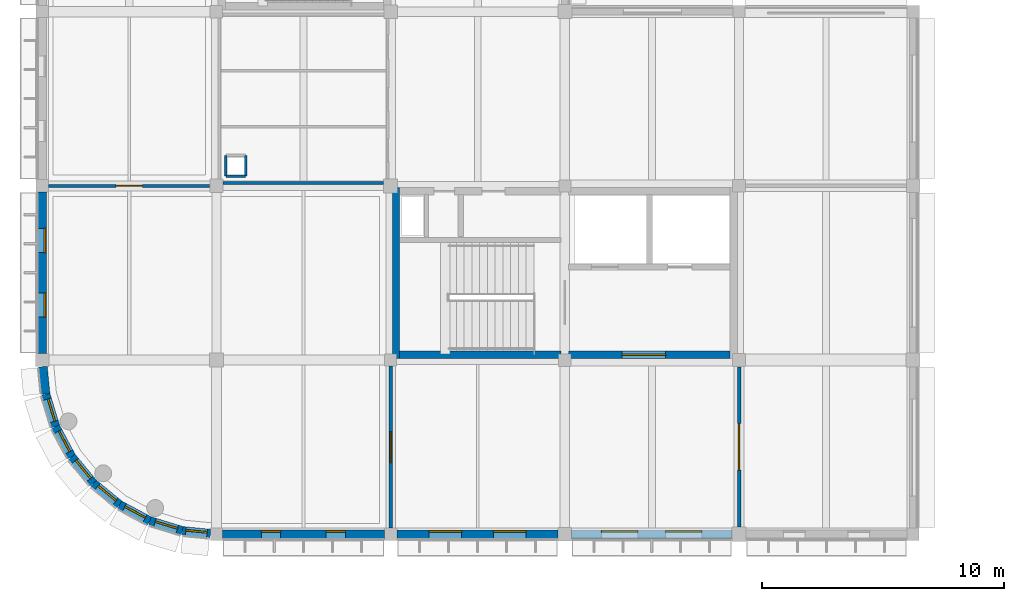
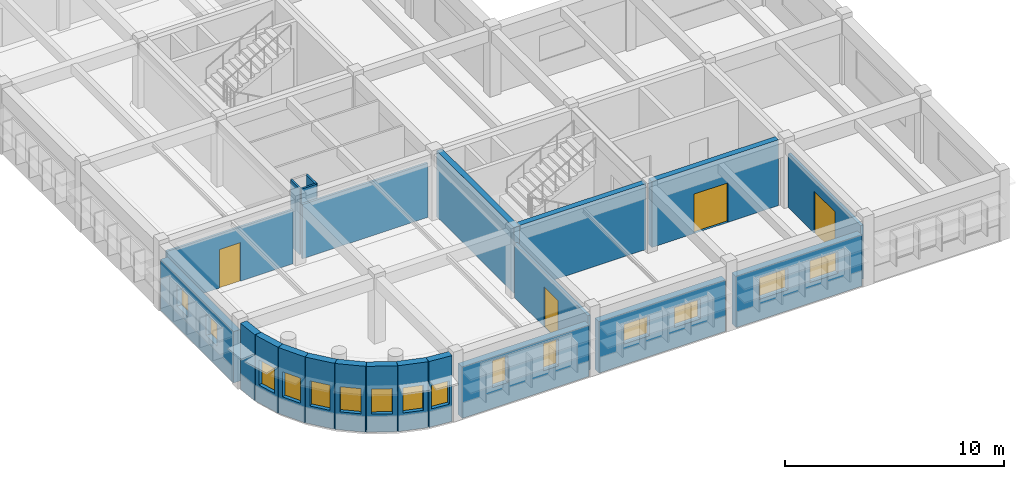
# One storey, part 12 of 19: 22 walls, 15 windows, 4 doors, 19 openings.
"""IFC4 building model written with IfcOpenShell, lengths in metres."""

import ifcopenshell
import ifcopenshell.guid

model = None  # the IFC model being written
_history = None  # IfcOwnerHistory: only IFC2X3 demands one
_inside = {}  # id of a spatial element -> (the spatial element, [elements in it])
_under = {}  # id of a project, library or spatial element -> (it, [spatial elements below it])
_declared = {}  # id of a project -> (the project, [libraries it declares])
_typed = {}  # id of a type object -> (the type object, [elements of that type])
_made_of = {}  # id of a material, layer set ... -> (it, [elements and type objects made of it])


def new_model(schema):
    """Start an empty IFC model of exactly this schema.

    Asked for "IFC4X3", IfcOpenShell would pick the latest addendum, in which some entities
    have other attributes; the version numbers below select the first issue.
    IFC2X3 requires an IfcOwnerHistory on every rooted entity: one is made here for all.
    """
    global model, _history
    if schema == "IFC4X3":
        model = ifcopenshell.file(schema_version=(4, 3, 0, 0))
    else:
        model = ifcopenshell.file(schema=schema)
    _inside.clear()
    _under.clear()
    _declared.clear()
    _typed.clear()
    _made_of.clear()
    _history = None
    if model.schema == "IFC2X3":
        org = make("IfcOrganization", Name="unknown")
        user = make(
            "IfcPersonAndOrganization",
            ThePerson=make("IfcPerson", FamilyName="unknown"),
            TheOrganization=org,
        )
        app = make(
            "IfcApplication",
            ApplicationDeveloper=org,
            Version="unknown",
            ApplicationFullName="unknown",
            ApplicationIdentifier="unknown",
        )
        _history = make(
            "IfcOwnerHistory",
            OwningUser=user,
            OwningApplication=app,
            ChangeAction="ADDED",
            CreationDate=0,
        )
    return model


def make(cls, **values):
    """One entity of the class cls with the attributes given. An attribute that is None is left unset."""
    return model.create_entity(
        cls, **{name: value for name, value in values.items() if value is not None}
    )


def rooted(cls, **values):
    """An entity with a GlobalId (a new one), such as an element, a storey or a relation."""
    return make(cls, GlobalId=ifcopenshell.guid.new(), OwnerHistory=_history, **values)


def si_unit(unit_type, name, prefix=None):
    """IfcSIUnit, for example si_unit("LENGTHUNIT", "METRE", prefix="MILLI")."""
    return make("IfcSIUnit", UnitType=unit_type, Prefix=prefix, Name=name)


def assignment(units):
    """IfcUnitAssignment: the units of a project."""
    return None if units is None else make("IfcUnitAssignment", Units=units)


def point(xyz):
    """IfcCartesianPoint."""
    return None if xyz is None else make("IfcCartesianPoint", Coordinates=xyz)


def direction(xyz):
    """IfcDirection."""
    return None if xyz is None else make("IfcDirection", DirectionRatios=xyz)


def frame(location, z_axis=None, x_axis=None):
    """IfcAxis2Placement3D, a coordinate frame: its origin and axes. An axis left out is left unset."""
    return make(
        "IfcAxis2Placement3D",
        Location=point(location),
        Axis=direction(z_axis),
        RefDirection=direction(x_axis),
    )


def frame_2d(location, x_axis=None):
    """IfcAxis2Placement2D, a coordinate frame in the plane: its origin and x axis."""
    return make(
        "IfcAxis2Placement2D", Location=point(location), RefDirection=direction(x_axis)
    )


def origin():
    """The frame at (0, 0, 0) with its axes left unset."""
    return frame((0.0, 0.0, 0.0))


def place(relative_to, where):
    """IfcLocalPlacement: puts the frame where relative to a parent placement (None: the world)."""
    return make(
        "IfcLocalPlacement", PlacementRelTo=relative_to, RelativePlacement=where
    )


def context(
    kind, dimensions, precision=None, world=None, true_north=None, identifier=None
):
    """IfcGeometricRepresentationContext, for example the 3D "Model" context."""
    return make(
        "IfcGeometricRepresentationContext",
        ContextIdentifier=identifier,
        ContextType=kind,
        CoordinateSpaceDimension=dimensions,
        Precision=precision,
        WorldCoordinateSystem=world,
        TrueNorth=true_north,
    )


def subcontext(parent, identifier, kind, view, scale=None):
    """IfcGeometricRepresentationSubContext, for example "Body" below "Model"."""
    return make(
        "IfcGeometricRepresentationSubContext",
        ContextIdentifier=identifier,
        ContextType=kind,
        ParentContext=parent,
        TargetScale=scale,
        TargetView=view,
    )


def project(units=None, contexts=None):
    """IfcProject with its units and contexts."""
    return rooted(
        "IfcProject",
        Name="project",
        RepresentationContexts=contexts,
        UnitsInContext=assignment(units),
    )


def spatial(cls, under=None, at=None, **own):
    """A site, building, storey or space (cls), placed at a placement, below another one or the project."""
    s = rooted(cls, ObjectPlacement=at, **own)
    if under is not None:
        _under.setdefault(under.id(), (under, []))[1].append(s)
    return s


def profile(cls, at=None, kind="AREA", **sizes):
    """A parametric profile (cls). Its sizes go by their IFC names, for example OverallWidth=200.0."""
    return make(cls, ProfileType=kind, Position=at, **sizes)


def rectangle(**sizes):
    """IfcRectangleProfileDef."""
    return profile("IfcRectangleProfileDef", **sizes)


def extrude(swept, where, along, depth):
    """IfcExtrudedAreaSolid: the profile swept, set in the frame where, extruded along a direction by depth."""
    return make(
        "IfcExtrudedAreaSolid",
        SweptArea=swept,
        Position=where,
        ExtrudedDirection=direction(along),
        Depth=depth,
    )


def shape(context_of_items, identifier, shape_type, items):
    """IfcShapeRepresentation: the items that make up one representation, for example the "Body"."""
    return make(
        "IfcShapeRepresentation",
        ContextOfItems=context_of_items,
        RepresentationIdentifier=identifier,
        RepresentationType=shape_type,
        Items=items,
    )


def material(Name=None, Category=None):
    """IfcMaterial."""
    return make("IfcMaterial", Name=Name, Category=Category)


def layer(
    of_material, thickness, ventilated=None, Name=None, Category=None, Priority=None
):
    """IfcMaterialLayer: one layer of a wall or slab, of a material (None: an air gap)."""
    return make(
        "IfcMaterialLayer",
        Material=of_material,
        LayerThickness=thickness,
        IsVentilated=ventilated,
        Name=Name,
        Category=Category,
        Priority=Priority,
    )


def layer_set(layers, Name=None):
    """IfcMaterialLayerSet."""
    return make("IfcMaterialLayerSet", MaterialLayers=layers, LayerSetName=Name)


def made_of(thing, what):
    """Note that an element or type object is made of a material, layer set ...; save() writes the relation."""
    if what is not None:
        _made_of.setdefault(what.id(), (what, []))[1].append(thing)
    return thing


def type_object(cls, material=None, **own):
    """A type object (cls), such as IfcWallType, which elements share."""
    return made_of(rooted(cls, **own), material)


def element(
    cls,
    number,
    at=None,
    inside=None,
    cuts=None,
    type_object=None,
    material=None,
    context=None,
    identifier="Body",
    shape_type=None,
    held_by="IfcProductDefinitionShape",
    body=None,
    shapes=None,
    **own,
):
    """One element of the class cls, such as IfcWall. Its Tag is "e" and its number.

    at: its placement. inside: the storey or other place that contains it. cuts: it is an
    opening in that element (IfcRelVoidsElement). A single representation is given by context,
    identifier, shape_type and body (its items); several are given by shapes. held_by: the class
    of the entity that holds the representations. save() writes the other relations.
    """
    e = rooted(cls, Tag="e%d" % number, ObjectPlacement=at, **own)
    if body is not None:
        shapes = [shape(context, identifier, shape_type, body)]
    if shapes is not None:
        e.Representation = make(held_by, Representations=shapes)
    if inside is not None:
        _inside.setdefault(inside.id(), (inside, []))[1].append(e)
    if cuts is not None:
        rooted(
            "IfcRelVoidsElement", RelatingBuildingElement=cuts, RelatedOpeningElement=e
        )
    if type_object is not None:
        _typed.setdefault(type_object.id(), (type_object, []))[1].append(e)
    return made_of(e, material)


def fill(opening, filler):
    """IfcRelFillsElement: the door or window that sits in an opening."""
    return rooted(
        "IfcRelFillsElement",
        RelatingOpeningElement=opening,
        RelatedBuildingElement=filler,
    )


def aggregate(whole, parts):
    """IfcRelAggregates: a whole, such as a stair, and the parts it consists of."""
    return rooted("IfcRelAggregates", RelatingObject=whole, RelatedObjects=parts)


def save(model, path):
    """Write the relations noted so far, then the file.

    IfcRelAggregates (storeys below a building ...), IfcRelContainedInSpatialStructure (elements
    in a storey), IfcRelDefinesByType, IfcRelAssociatesMaterial and IfcRelDeclares: one each for
    every whole, place, type object, material and project.
    """
    for whole, parts in _under.values():
        aggregate(whole, parts)
    for where, things in _inside.values():
        rooted(
            "IfcRelContainedInSpatialStructure",
            RelatedElements=things,
            RelatingStructure=where,
        )
    for kind, things in _typed.values():
        rooted("IfcRelDefinesByType", RelatedObjects=things, RelatingType=kind)
    for what, things in _made_of.values():
        rooted("IfcRelAssociatesMaterial", RelatedObjects=things, RelatingMaterial=what)
    for by, libraries in _declared.values():
        rooted("IfcRelDeclares", RelatingContext=by, RelatedDefinitions=libraries)
    model.write(path)


model = new_model("IFC4")

# Units and contexts
model_context = context("Model", 3, precision=1e-05, world=origin(), true_north=direction((0.0, 1.0)))
body_context = subcontext(model_context, "Body", "Model", "MODEL_VIEW")
ifc_project = project(units=[si_unit("LENGTHUNIT", "METRE"), si_unit("AREAUNIT", "SQUARE_METRE"), si_unit("VOLUMEUNIT", "CUBIC_METRE"), si_unit("PLANEANGLEUNIT", "RADIAN"), si_unit("MASSUNIT", "GRAM", prefix="KILO")], contexts=[model_context])

# Site, building, storey
site_placement = place(None, origin())
site = spatial("IfcSite", under=ifc_project, at=site_placement, CompositionType="ELEMENT")
building_placement = place(site_placement, origin())
building = spatial("IfcBuilding", under=site, at=building_placement, Name="Thalmaran Polytechnic", CompositionType="ELEMENT")
storey_placement = place(building_placement, frame((0.0, 0.0, 26.699951171875)))
storey = spatial("IfcBuildingStorey", under=building, at=storey_placement, Name="L06", CompositionType="ELEMENT", Elevation=26.699951171875)

# Wall, opening, window
ifc_material_1 = material(Name="Precast concrete C40/50", Category="concrete")
ifc_layer_1 = layer(ifc_material_1, 0.360107421875, Name="Precast concrete C40/50")
ifc_layer_set_1 = layer_set([ifc_layer_1], Name="Precast concrete C40/50")
wall_type_1 = type_object("IfcWallType", Name="WL-EW01", PredefinedType="STANDARD", material=ifc_layer_set_1)
wall_1_placement = place(storey_placement, frame((2.10888671875, 2.10888671875, 0.0), z_axis=(0.0, 0.0, 1.0), x_axis=(-0.634433227965, 0.772977670605, 0.0)))
wall_1 = element("IfcWall", 1, at=wall_1_placement, inside=storey, type_object=wall_type_1, Name="Exterior Precast Facade Wall L06-001", PredefinedType="STANDARD", context=body_context, shape_type="SweptSolid", body=[
    extrude(rectangle(XDim=1.41162109375, YDim=0.360107421875, at=frame_2d((0.705810546875, 0.0))), origin(), (0.0, 0.0, 1.0), 3.670166015625),
])
opening_1_placement = place(wall_1_placement, frame((0.2255859375, 0.0, 1.0)))
opening_1 = element("IfcOpeningElement", 2, at=opening_1_placement, cuts=wall_1, Name="Opening CR01", PredefinedType="OPENING", context=body_context, shape_type="SweptSolid", body=[
    extrude(rectangle(XDim=0.9599609375, YDim=1.39990234375, at=frame_2d((0.47998046875, 0.699951171875))), frame((0.0, 0.18994140625, 0.0), z_axis=(0.0, -1.0, 0.0), x_axis=(1.0, 0.0, 0.0)), (0.0, 0.0, 1.0), 0.380126953125),
])
ifc_material_2 = material(Name="Thermally broken aluminium and double low-E glass", Category="aluminium")
window_type_1 = type_object("IfcWindowType", Name="WN-CR01", PartitioningType="SINGLE_PANEL", PredefinedType="WINDOW", material=ifc_material_2)
window_1_placement = place(opening_1_placement, origin())
window_1 = element("IfcWindow", 3, at=window_1_placement, inside=storey, type_object=window_type_1, Name="Curved Prow Ribbon Window W-0726", OverallHeight=1.39990234375, OverallWidth=0.9599609375, PartitioningType="SINGLE_PANEL", PredefinedType="WINDOW", context=body_context, shape_type="SweptSolid", body=[
    extrude(rectangle(XDim=0.9599609375, YDim=1.39990234375, at=frame_2d((0.47998046875, 0.699951171875))), frame((0.0, -0.010009765625, 0.0), z_axis=(0.0, -1.0, 0.0), x_axis=(1.0, 0.0, 0.0)), (0.0, 0.0, 1.0), 0.06005859375),
])
fill(opening_1, window_1)

wall_2_placement = place(storey_placement, frame((1.21337890625, 3.199951171875, 0.0), z_axis=(0.0, 0.0, 1.0), x_axis=(-0.471405109778, 0.881916788861, 0.0)))
wall_2 = element("IfcWall", 4, at=wall_2_placement, inside=storey, type_object=wall_type_1, Name="Exterior Precast Facade Wall L06-002", PredefinedType="STANDARD", context=body_context, shape_type="SweptSolid", body=[
    extrude(rectangle(XDim=1.411376953125, YDim=0.360107421875, at=frame_2d((0.70556640625, 0.0))), origin(), (0.0, 0.0, 1.0), 3.670166015625),
])
opening_2_placement = place(wall_2_placement, frame((0.2255859375, 0.0, 1.0)))
opening_2 = element("IfcOpeningElement", 5, at=opening_2_placement, cuts=wall_2, Name="Opening CR01", PredefinedType="OPENING", context=body_context, shape_type="SweptSolid", body=[
    extrude(rectangle(XDim=0.9599609375, YDim=1.39990234375, at=frame_2d((0.47998046875, 0.699951171875))), frame((0.0, 0.18994140625, 0.0), z_axis=(0.0, -1.0, 0.0), x_axis=(1.0, 0.0, 0.0)), (0.0, 0.0, 1.0), 0.380126953125),
])
window_2_placement = place(opening_2_placement, origin())
window_2 = element("IfcWindow", 6, at=window_2_placement, inside=storey, type_object=window_type_1, Name="Curved Prow Ribbon Window W-0727", OverallHeight=1.39990234375, OverallWidth=0.9599609375, PartitioningType="SINGLE_PANEL", PredefinedType="WINDOW", context=body_context, shape_type="SweptSolid", body=[
    extrude(rectangle(XDim=0.9599609375, YDim=1.39990234375, at=frame_2d((0.47998046875, 0.699951171875))), frame((0.0, -0.010009765625, 0.0), z_axis=(0.0, -1.0, 0.0), x_axis=(1.0, 0.0, 0.0)), (0.0, 0.0, 1.0), 0.06005859375),
])
fill(opening_2, window_2)

wall_3_placement = place(storey_placement, frame((0.548095703125, 4.444580078125, 0.0), z_axis=(0.0, 0.0, 1.0), x_axis=(-0.290218599957, 0.95696037757, 0.0)))
wall_3 = element("IfcWall", 7, at=wall_3_placement, inside=storey, type_object=wall_type_1, Name="Exterior Precast Facade Wall L06-003", PredefinedType="STANDARD", context=body_context, shape_type="SweptSolid", body=[
    extrude(rectangle(XDim=1.41162109375, YDim=0.360107421875, at=frame_2d((0.705810546875, 0.0))), origin(), (0.0, 0.0, 1.0), 3.670166015625),
])
opening_3_placement = place(wall_3_placement, frame((0.2255859375, 0.0, 1.0)))
opening_3 = element("IfcOpeningElement", 8, at=opening_3_placement, cuts=wall_3, Name="Opening CR01", PredefinedType="OPENING", context=body_context, shape_type="SweptSolid", body=[
    extrude(rectangle(XDim=0.9599609375, YDim=1.39990234375, at=frame_2d((0.47998046875, 0.699951171875))), frame((0.0, 0.18994140625, 0.0), z_axis=(0.0, -1.0, 0.0), x_axis=(1.0, 0.0, 0.0)), (0.0, 0.0, 1.0), 0.380126953125),
])
window_3_placement = place(opening_3_placement, origin())
window_3 = element("IfcWindow", 9, at=window_3_placement, inside=storey, type_object=window_type_1, Name="Curved Prow Ribbon Window W-0728", OverallHeight=1.39990234375, OverallWidth=0.9599609375, PartitioningType="SINGLE_PANEL", PredefinedType="WINDOW", context=body_context, shape_type="SweptSolid", body=[
    extrude(rectangle(XDim=0.9599609375, YDim=1.39990234375, at=frame_2d((0.47998046875, 0.699951171875))), frame((0.0, -0.010009765625, 0.0), z_axis=(0.0, -1.0, 0.0), x_axis=(1.0, 0.0, 0.0)), (0.0, 0.0, 1.0), 0.06005859375),
])
fill(opening_3, window_3)

# Wall
wall_4_placement = place(storey_placement, frame((0.138427734375, 5.79541015625, 0.0), z_axis=(0.0, 0.0, 1.0), x_axis=(-0.098184772956, 0.995168202044, 0.0)))
element("IfcWall", 10, at=wall_4_placement, inside=storey, type_object=wall_type_1, Name="Exterior Precast Facade Wall L06-004", PredefinedType="STANDARD", context=body_context, shape_type="SweptSolid", body=[
    extrude(rectangle(XDim=1.13623046875, YDim=0.360107421875, at=frame_2d((0.568115234375, 0.0))), origin(), (0.0, 0.0, 1.0), 3.670166015625),
])

# Wall, openings, windows
wall_5_placement = place(storey_placement, frame((0.0, 7.47509765625, 0.0), z_axis=(0.0, 0.0, 1.0), x_axis=(0.0, 1.0, 0.0)))
wall_5 = element("IfcWall", 11, at=wall_5_placement, inside=storey, type_object=wall_type_1, Name="Exterior Precast Facade Wall L06-005", PredefinedType="STANDARD", context=body_context, shape_type="SweptSolid", body=[
    extrude(rectangle(XDim=6.664794921875, YDim=0.360107421875, at=frame_2d((3.33251953125, 0.0))), origin(), (0.0, 0.0, 1.0), 2.864990234375),
])
opening_4_placement = place(wall_5_placement, frame((1.49951171875, 0.0, 1.14990234375)))
opening_4 = element("IfcOpeningElement", 12, at=opening_4_placement, cuts=wall_5, Name="Opening VW13", PredefinedType="OPENING", context=body_context, shape_type="SweptSolid", body=[
    extrude(rectangle(XDim=1.0, YDim=1.199951171875, at=frame_2d((0.5, 0.60009765625))), frame((0.0, 0.18994140625, 0.0), z_axis=(0.0, -1.0, 0.0), x_axis=(1.0, 0.0, 0.0)), (0.0, 0.0, 1.0), 0.380126953125),
])
opening_5_placement = place(wall_5_placement, frame((4.16552734375, 0.0, 1.14990234375)))
opening_5 = element("IfcOpeningElement", 13, at=opening_5_placement, cuts=wall_5, Name="Opening VW13", PredefinedType="OPENING", context=body_context, shape_type="SweptSolid", body=[
    extrude(rectangle(XDim=1.0, YDim=1.199951171875, at=frame_2d((0.5, 0.60009765625))), frame((0.0, 0.18994140625, 0.0), z_axis=(0.0, -1.0, 0.0), x_axis=(1.0, 0.0, 0.0)), (0.0, 0.0, 1.0), 0.380126953125),
])
window_type_2 = type_object("IfcWindowType", Name="WN-VZ13", PartitioningType="SINGLE_PANEL", PredefinedType="WINDOW", material=ifc_material_2)
window_4_placement = place(opening_4_placement, origin())
window_4 = element("IfcWindow", 14, at=window_4_placement, inside=storey, type_object=window_type_2, Name="Deep-Set Solar-Screened Window W-0729", OverallHeight=1.199951171875, OverallWidth=1.0, PartitioningType="SINGLE_PANEL", PredefinedType="WINDOW", context=body_context, shape_type="SweptSolid", body=[
    extrude(rectangle(XDim=1.0, YDim=1.199951171875, at=frame_2d((0.5, 0.60009765625))), frame((0.0, -0.080078125, 0.0), z_axis=(0.0, -1.0, 0.0), x_axis=(1.0, 0.0, 0.0)), (0.0, 0.0, 1.0), 0.06005859375),
])
fill(opening_4, window_4)
window_5_placement = place(opening_5_placement, origin())
window_5 = element("IfcWindow", 15, at=window_5_placement, inside=storey, type_object=window_type_2, Name="Deep-Set Solar-Screened Window W-0730", OverallHeight=1.199951171875, OverallWidth=1.0, PartitioningType="SINGLE_PANEL", PredefinedType="WINDOW", context=body_context, shape_type="SweptSolid", body=[
    extrude(rectangle(XDim=1.0, YDim=1.199951171875, at=frame_2d((0.5, 0.60009765625))), frame((0.0, -0.080078125, 0.0), z_axis=(0.0, -1.0, 0.0), x_axis=(1.0, 0.0, 0.0)), (0.0, 0.0, 1.0), 0.06005859375),
])
fill(opening_5, window_5)

wall_6_placement = place(storey_placement, frame((28.510009765625, 0.0, 0.0), z_axis=(0.0, 0.0, 1.0), x_axis=(-1.0, 0.0, 0.0)))
wall_6 = element("IfcWall", 16, at=wall_6_placement, inside=storey, type_object=wall_type_1, Name="Exterior Precast Facade Wall L06-024", PredefinedType="STANDARD", context=body_context, shape_type="SweptSolid", body=[
    extrude(rectangle(XDim=6.635009765625, YDim=0.360107421875, at=frame_2d((3.3173828125, 0.0))), origin(), (0.0, 0.0, 1.0), 2.864990234375),
])
opening_6_placement = place(wall_6_placement, frame((1.240478515625, 0.0, 1.14990234375)))
opening_6 = element("IfcOpeningElement", 17, at=opening_6_placement, cuts=wall_6, Name="Opening PW14", PredefinedType="OPENING", context=body_context, shape_type="SweptSolid", body=[
    extrude(rectangle(XDim=1.5, YDim=1.199951171875, at=frame_2d((0.75, 0.60009765625))), frame((0.0, 0.18994140625, 0.0), z_axis=(0.0, -1.0, 0.0), x_axis=(1.0, 0.0, 0.0)), (0.0, 0.0, 1.0), 0.380126953125),
])
opening_7_placement = place(wall_6_placement, frame((3.89453125, 0.0, 1.14990234375)))
opening_7 = element("IfcOpeningElement", 18, at=opening_7_placement, cuts=wall_6, Name="Opening PW14", PredefinedType="OPENING", context=body_context, shape_type="SweptSolid", body=[
    extrude(rectangle(XDim=1.5, YDim=1.199951171875, at=frame_2d((0.75, 0.60009765625))), frame((0.0, 0.18994140625, 0.0), z_axis=(0.0, -1.0, 0.0), x_axis=(1.0, 0.0, 0.0)), (0.0, 0.0, 1.0), 0.380126953125),
])
window_type_3 = type_object("IfcWindowType", Name="WN-PW04", PartitioningType="DOUBLE_PANEL_VERTICAL", PredefinedType="WINDOW", material=ifc_material_2)
window_6_placement = place(opening_6_placement, origin())
window_6 = element("IfcWindow", 19, at=window_6_placement, inside=storey, type_object=window_type_3, Name="Deep-Set Solar-Screened Window W-0754", OverallHeight=1.199951171875, OverallWidth=1.5, PartitioningType="SINGLE_PANEL", PredefinedType="WINDOW", context=body_context, shape_type="SweptSolid", body=[
    extrude(rectangle(XDim=1.5, YDim=1.199951171875, at=frame_2d((0.75, 0.60009765625))), frame((0.0, -0.080078125, 0.0), z_axis=(0.0, -1.0, 0.0), x_axis=(1.0, 0.0, 0.0)), (0.0, 0.0, 1.0), 0.06005859375),
])
fill(opening_6, window_6)
window_7_placement = place(opening_7_placement, origin())
window_7 = element("IfcWindow", 20, at=window_7_placement, inside=storey, type_object=window_type_3, Name="Deep-Set Solar-Screened Window W-0755", OverallHeight=1.199951171875, OverallWidth=1.5, PartitioningType="SINGLE_PANEL", PredefinedType="WINDOW", context=body_context, shape_type="SweptSolid", body=[
    extrude(rectangle(XDim=1.5, YDim=1.199951171875, at=frame_2d((0.75, 0.60009765625))), frame((0.0, -0.080078125, 0.0), z_axis=(0.0, -1.0, 0.0), x_axis=(1.0, 0.0, 0.0)), (0.0, 0.0, 1.0), 0.06005859375),
])
fill(opening_7, window_7)

wall_7_placement = place(storey_placement, frame((21.324951171875, 0.0, 0.0), z_axis=(0.0, 0.0, 1.0), x_axis=(-1.0, 0.0, 0.0)))
wall_7 = element("IfcWall", 21, at=wall_7_placement, inside=storey, type_object=wall_type_1, Name="Exterior Precast Facade Wall L06-025", PredefinedType="STANDARD", context=body_context, shape_type="SweptSolid", body=[
    extrude(rectangle(XDim=6.6650390625, YDim=0.360107421875, at=frame_2d((3.33251953125, 0.0))), origin(), (0.0, 0.0, 1.0), 2.864990234375),
])
opening_8_placement = place(wall_7_placement, frame((1.324462890625, 0.0, 1.14990234375)))
opening_8 = element("IfcOpeningElement", 22, at=opening_8_placement, cuts=wall_7, Name="Opening PW15", PredefinedType="OPENING", context=body_context, shape_type="SweptSolid", body=[
    extrude(rectangle(XDim=1.35009765625, YDim=1.10009765625, at=frame_2d((0.675048828125, 0.550048828125))), frame((0.0, 0.18994140625, 0.0), z_axis=(0.0, -1.0, 0.0), x_axis=(1.0, 0.0, 0.0)), (0.0, 0.0, 1.0), 0.380126953125),
])
opening_9_placement = place(wall_7_placement, frame((3.990478515625, 0.0, 1.14990234375)))
opening_9 = element("IfcOpeningElement", 23, at=opening_9_placement, cuts=wall_7, Name="Opening PW15", PredefinedType="OPENING", context=body_context, shape_type="SweptSolid", body=[
    extrude(rectangle(XDim=1.35009765625, YDim=1.10009765625, at=frame_2d((0.675048828125, 0.550048828125))), frame((0.0, 0.18994140625, 0.0), z_axis=(0.0, -1.0, 0.0), x_axis=(1.0, 0.0, 0.0)), (0.0, 0.0, 1.0), 0.380126953125),
])
window_type_4 = type_object("IfcWindowType", Name="WN-PW05", PartitioningType="SINGLE_PANEL", PredefinedType="WINDOW", material=ifc_material_2)
window_8_placement = place(opening_8_placement, origin())
window_8 = element("IfcWindow", 24, at=window_8_placement, inside=storey, type_object=window_type_4, Name="Deep-Set Solar-Screened Window W-0756", OverallHeight=1.10009765625, OverallWidth=1.35009765625, PartitioningType="SINGLE_PANEL", PredefinedType="WINDOW", context=body_context, shape_type="SweptSolid", body=[
    extrude(rectangle(XDim=1.35009765625, YDim=1.10009765625, at=frame_2d((0.675048828125, 0.550048828125))), frame((0.0, -0.080078125, 0.0), z_axis=(0.0, -1.0, 0.0), x_axis=(1.0, 0.0, 0.0)), (0.0, 0.0, 1.0), 0.06005859375),
])
fill(opening_8, window_8)
window_9_placement = place(opening_9_placement, origin())
window_9 = element("IfcWindow", 25, at=window_9_placement, inside=storey, type_object=window_type_4, Name="Deep-Set Solar-Screened Window W-0757", OverallHeight=1.10009765625, OverallWidth=1.35009765625, PartitioningType="SINGLE_PANEL", PredefinedType="WINDOW", context=body_context, shape_type="SweptSolid", body=[
    extrude(rectangle(XDim=1.35009765625, YDim=1.10009765625, at=frame_2d((0.675048828125, 0.550048828125))), frame((0.0, -0.080078125, 0.0), z_axis=(0.0, -1.0, 0.0), x_axis=(1.0, 0.0, 0.0)), (0.0, 0.0, 1.0), 0.06005859375),
])
fill(opening_9, window_9)

wall_8_placement = place(storey_placement, frame((14.139892578125, 0.0, 0.0), z_axis=(0.0, 0.0, 1.0), x_axis=(-1.0, 0.0, 0.0)))
wall_8 = element("IfcWall", 26, at=wall_8_placement, inside=storey, type_object=wall_type_1, Name="Exterior Precast Facade Wall L06-026", PredefinedType="STANDARD", context=body_context, shape_type="SweptSolid", body=[
    extrude(rectangle(XDim=6.68994140625, YDim=0.360107421875, at=frame_2d((3.344970703125, 0.0))), origin(), (0.0, 0.0, 1.0), 2.864990234375),
])
opening_10_placement = place(wall_8_placement, frame((1.60693359375, 0.0, 1.14990234375)))
opening_10 = element("IfcOpeningElement", 27, at=opening_10_placement, cuts=wall_8, Name="Opening PW16", PredefinedType="OPENING", context=body_context, shape_type="SweptSolid", body=[
    extrude(rectangle(XDim=0.800048828125, YDim=1.5, at=frame_2d((0.39990234375, 0.75))), frame((0.0, 0.18994140625, 0.0), z_axis=(0.0, -1.0, 0.0), x_axis=(1.0, 0.0, 0.0)), (0.0, 0.0, 1.0), 0.380126953125),
])
opening_11_placement = place(wall_8_placement, frame((4.282958984375, 0.0, 1.14990234375)))
opening_11 = element("IfcOpeningElement", 28, at=opening_11_placement, cuts=wall_8, Name="Opening PW16", PredefinedType="OPENING", context=body_context, shape_type="SweptSolid", body=[
    extrude(rectangle(XDim=0.800048828125, YDim=1.5, at=frame_2d((0.39990234375, 0.75))), frame((0.0, 0.18994140625, 0.0), z_axis=(0.0, -1.0, 0.0), x_axis=(1.0, 0.0, 0.0)), (0.0, 0.0, 1.0), 0.380126953125),
])
window_type_5 = type_object("IfcWindowType", Name="WN-PW06", PartitioningType="SINGLE_PANEL", PredefinedType="WINDOW", material=ifc_material_2)
window_10_placement = place(opening_10_placement, origin())
window_10 = element("IfcWindow", 29, at=window_10_placement, inside=storey, type_object=window_type_5, Name="Deep-Set Solar-Screened Window W-0758", OverallHeight=1.5, OverallWidth=0.800048828125, PartitioningType="SINGLE_PANEL", PredefinedType="WINDOW", context=body_context, shape_type="SweptSolid", body=[
    extrude(rectangle(XDim=0.800048828125, YDim=1.5, at=frame_2d((0.39990234375, 0.75))), frame((0.0, -0.080078125, 0.0), z_axis=(0.0, -1.0, 0.0), x_axis=(1.0, 0.0, 0.0)), (0.0, 0.0, 1.0), 0.06005859375),
])
fill(opening_10, window_10)
window_11_placement = place(opening_11_placement, origin())
window_11 = element("IfcWindow", 30, at=window_11_placement, inside=storey, type_object=window_type_5, Name="Deep-Set Solar-Screened Window W-0759", OverallHeight=1.5, OverallWidth=0.800048828125, PartitioningType="SINGLE_PANEL", PredefinedType="WINDOW", context=body_context, shape_type="SweptSolid", body=[
    extrude(rectangle(XDim=0.800048828125, YDim=1.5, at=frame_2d((0.39990234375, 0.75))), frame((0.0, -0.080078125, 0.0), z_axis=(0.0, -1.0, 0.0), x_axis=(1.0, 0.0, 0.0)), (0.0, 0.0, 1.0), 0.06005859375),
])
fill(opening_11, window_11)

# Wall, opening, window
wall_9_placement = place(storey_placement, frame((6.951171875, 0.0244140625, 0.0), z_axis=(0.0, 0.0, 1.0), x_axis=(-0.995169505688, 0.098171558757, 0.0)))
wall_9 = element("IfcWall", 31, at=wall_9_placement, inside=storey, type_object=wall_type_1, Name="Exterior Precast Facade Wall L06-027", PredefinedType="STANDARD", context=body_context, shape_type="SweptSolid", body=[
    extrude(rectangle(XDim=1.161376953125, YDim=0.360107421875, at=frame_2d((0.58056640625, 0.0))), origin(), (0.0, 0.0, 1.0), 3.670166015625),
])
opening_12_placement = place(wall_9_placement, frame((0.140625, 0.0, 1.0)))
opening_12 = element("IfcOpeningElement", 32, at=opening_12_placement, cuts=wall_9, Name="Opening CR02", PredefinedType="OPENING", context=body_context, shape_type="SweptSolid", body=[
    extrude(rectangle(XDim=0.8798828125, YDim=1.300048828125, at=frame_2d((0.43994140625, 0.64990234375))), frame((0.0, 0.18994140625, 0.0), z_axis=(0.0, -1.0, 0.0), x_axis=(1.0, 0.0, 0.0)), (0.0, 0.0, 1.0), 0.380126953125),
])
window_type_6 = type_object("IfcWindowType", Name="WN-CR02", PartitioningType="SINGLE_PANEL", PredefinedType="WINDOW", material=ifc_material_2)
window_12_placement = place(opening_12_placement, origin())
window_12 = element("IfcWindow", 33, at=window_12_placement, inside=storey, type_object=window_type_6, Name="Curved Prow Ribbon Window W-0760", OverallHeight=1.300048828125, OverallWidth=0.8798828125, PartitioningType="SINGLE_PANEL", PredefinedType="WINDOW", context=body_context, shape_type="SweptSolid", body=[
    extrude(rectangle(XDim=0.8798828125, YDim=1.300048828125, at=frame_2d((0.43994140625, 0.64990234375))), frame((0.0, -0.010009765625, 0.0), z_axis=(0.0, -1.0, 0.0), x_axis=(1.0, 0.0, 0.0)), (0.0, 0.0, 1.0), 0.06005859375),
])
fill(opening_12, window_12)

wall_10_placement = place(storey_placement, frame((5.79541015625, 0.138427734375, 0.0), z_axis=(0.0, 0.0, 1.0), x_axis=(-0.95696037757, 0.290218599957, 0.0)))
wall_10 = element("IfcWall", 34, at=wall_10_placement, inside=storey, type_object=wall_type_1, Name="Exterior Precast Facade Wall L06-028", PredefinedType="STANDARD", context=body_context, shape_type="SweptSolid", body=[
    extrude(rectangle(XDim=1.41162109375, YDim=0.360107421875, at=frame_2d((0.705810546875, 0.0))), origin(), (0.0, 0.0, 1.0), 3.670166015625),
])
opening_13_placement = place(wall_10_placement, frame((0.2255859375, 0.0, 1.0)))
opening_13 = element("IfcOpeningElement", 35, at=opening_13_placement, cuts=wall_10, Name="Opening CR01", PredefinedType="OPENING", context=body_context, shape_type="SweptSolid", body=[
    extrude(rectangle(XDim=0.9599609375, YDim=1.39990234375, at=frame_2d((0.47998046875, 0.699951171875))), frame((0.0, 0.18994140625, 0.0), z_axis=(0.0, -1.0, 0.0), x_axis=(1.0, 0.0, 0.0)), (0.0, 0.0, 1.0), 0.380126953125),
])
window_13_placement = place(opening_13_placement, origin())
window_13 = element("IfcWindow", 36, at=window_13_placement, inside=storey, type_object=window_type_1, Name="Curved Prow Ribbon Window W-0761", OverallHeight=1.39990234375, OverallWidth=0.9599609375, PartitioningType="SINGLE_PANEL", PredefinedType="WINDOW", context=body_context, shape_type="SweptSolid", body=[
    extrude(rectangle(XDim=0.9599609375, YDim=1.39990234375, at=frame_2d((0.47998046875, 0.699951171875))), frame((0.0, -0.010009765625, 0.0), z_axis=(0.0, -1.0, 0.0), x_axis=(1.0, 0.0, 0.0)), (0.0, 0.0, 1.0), 0.06005859375),
])
fill(opening_13, window_13)

wall_11_placement = place(storey_placement, frame((4.444580078125, 0.548095703125, 0.0), z_axis=(0.0, 0.0, 1.0), x_axis=(-0.881916788861, 0.471405109778, 0.0)))
wall_11 = element("IfcWall", 37, at=wall_11_placement, inside=storey, type_object=wall_type_1, Name="Exterior Precast Facade Wall L06-029", PredefinedType="STANDARD", context=body_context, shape_type="SweptSolid", body=[
    extrude(rectangle(XDim=1.411376953125, YDim=0.360107421875, at=frame_2d((0.70556640625, 0.0))), origin(), (0.0, 0.0, 1.0), 3.670166015625),
])
opening_14_placement = place(wall_11_placement, frame((0.2255859375, 0.0, 1.0)))
opening_14 = element("IfcOpeningElement", 38, at=opening_14_placement, cuts=wall_11, Name="Opening CR01", PredefinedType="OPENING", context=body_context, shape_type="SweptSolid", body=[
    extrude(rectangle(XDim=0.9599609375, YDim=1.39990234375, at=frame_2d((0.47998046875, 0.699951171875))), frame((0.0, 0.18994140625, 0.0), z_axis=(0.0, -1.0, 0.0), x_axis=(1.0, 0.0, 0.0)), (0.0, 0.0, 1.0), 0.380126953125),
])
window_14_placement = place(opening_14_placement, origin())
window_14 = element("IfcWindow", 39, at=window_14_placement, inside=storey, type_object=window_type_1, Name="Curved Prow Ribbon Window W-0762", OverallHeight=1.39990234375, OverallWidth=0.9599609375, PartitioningType="SINGLE_PANEL", PredefinedType="WINDOW", context=body_context, shape_type="SweptSolid", body=[
    extrude(rectangle(XDim=0.9599609375, YDim=1.39990234375, at=frame_2d((0.47998046875, 0.699951171875))), frame((0.0, -0.010009765625, 0.0), z_axis=(0.0, -1.0, 0.0), x_axis=(1.0, 0.0, 0.0)), (0.0, 0.0, 1.0), 0.06005859375),
])
fill(opening_14, window_14)

wall_12_placement = place(storey_placement, frame((3.199951171875, 1.21337890625, 0.0), z_axis=(0.0, 0.0, 1.0), x_axis=(-0.772977670605, 0.634433227965, 0.0)))
wall_12 = element("IfcWall", 40, at=wall_12_placement, inside=storey, type_object=wall_type_1, Name="Exterior Precast Facade Wall L06-030", PredefinedType="STANDARD", context=body_context, shape_type="SweptSolid", body=[
    extrude(rectangle(XDim=1.41162109375, YDim=0.360107421875, at=frame_2d((0.705810546875, 0.0))), origin(), (0.0, 0.0, 1.0), 3.670166015625),
])
opening_15_placement = place(wall_12_placement, frame((0.2255859375, 0.0, 1.0)))
opening_15 = element("IfcOpeningElement", 41, at=opening_15_placement, cuts=wall_12, Name="Opening CR01", PredefinedType="OPENING", context=body_context, shape_type="SweptSolid", body=[
    extrude(rectangle(XDim=0.9599609375, YDim=1.39990234375, at=frame_2d((0.47998046875, 0.699951171875))), frame((0.0, 0.18994140625, 0.0), z_axis=(0.0, -1.0, 0.0), x_axis=(1.0, 0.0, 0.0)), (0.0, 0.0, 1.0), 0.380126953125),
])
window_15_placement = place(opening_15_placement, origin())
window_15 = element("IfcWindow", 42, at=window_15_placement, inside=storey, type_object=window_type_1, Name="Curved Prow Ribbon Window W-0763", OverallHeight=1.39990234375, OverallWidth=0.9599609375, PartitioningType="SINGLE_PANEL", PredefinedType="WINDOW", context=body_context, shape_type="SweptSolid", body=[
    extrude(rectangle(XDim=0.9599609375, YDim=1.39990234375, at=frame_2d((0.47998046875, 0.699951171875))), frame((0.0, -0.010009765625, 0.0), z_axis=(0.0, -1.0, 0.0), x_axis=(1.0, 0.0, 0.0)), (0.0, 0.0, 1.0), 0.06005859375),
])
fill(opening_15, window_15)

# Wall, opening, door
ifc_material_3 = material(Name="Gypsum acoustic partition")
ifc_layer_2 = layer(ifc_material_3, 0.14501953125, Name="Gypsum acoustic partition")
ifc_layer_set_2 = layer_set([ifc_layer_2], Name="Gypsum acoustic partition")
wall_type_2 = type_object("IfcWallType", Name="WL-IW06", PredefinedType="PARTITIONING", material=ifc_layer_set_2)
wall_13_placement = place(storey_placement, frame((14.39990234375, 0.264892578125, 0.0), z_axis=(0.0, 0.0, 1.0), x_axis=(0.0, 1.0, 0.0)))
wall_13 = element("IfcWall", 43, at=wall_13_placement, inside=storey, type_object=wall_type_2, Name="Interior Partition IW06 L06-003", PredefinedType="PARTITIONING", context=body_context, shape_type="SweptSolid", body=[
    extrude(rectangle(XDim=6.68017578125, YDim=0.14501953125, at=frame_2d((3.340087890625, 0.0))), origin(), (0.0, 0.0, 1.0), 3.0400390625),
])
opening_16_placement = place(wall_13_placement, frame((2.699951171875, 0.0, 0.0)))
opening_16 = element("IfcOpeningElement", 44, at=opening_16_placement, cuts=wall_13, Name="Opening D-L06-001-1-01-1", PredefinedType="OPENING", context=body_context, shape_type="SweptSolid", body=[
    extrude(rectangle(XDim=1.280029296875, YDim=2.239990234375, at=frame_2d((0.64013671875, 1.1201171875))), frame((0.0, 0.08251953125, 0.0), z_axis=(0.0, -1.0, 0.0), x_axis=(1.0, 0.0, 0.0)), (0.0, 0.0, 1.0), 0.1650390625),
])
ifc_material_4 = material(Name="Powder-coated fire-rated steel", Category="steel")
door_type_1 = type_object("IfcDoorType", Name="DR-ZD10", OperationType="NOTDEFINED", PredefinedType="DOOR", material=ifc_material_4)
door_1_placement = place(opening_16_placement, origin())
door_1 = element("IfcDoor", 45, at=door_1_placement, inside=storey, type_object=door_type_1, Name="Environmental Engineering Laboratory L06-01 Door 1", OperationType="SINGLE_SWING_LEFT", OverallHeight=2.239990234375, OverallWidth=1.280029296875, PredefinedType="DOOR", context=body_context, shape_type="SweptSolid", body=[
    extrude(rectangle(XDim=1.280029296875, YDim=2.239990234375, at=frame_2d((0.64013671875, 1.1201171875))), frame((0.0, 0.02490234375, 0.0), z_axis=(0.0, -1.0, 0.0), x_axis=(1.0, 0.0, 0.0)), (0.0, 0.0, 1.0), 0.050048828125),
])
fill(opening_16, door_1)

wall_14_placement = place(storey_placement, frame((28.800048828125, 0.294921875, 0.0), z_axis=(0.0, 0.0, 1.0), x_axis=(0.0, 1.0, 0.0)))
wall_14 = element("IfcWall", 46, at=wall_14_placement, inside=storey, type_object=wall_type_2, Name="Interior Partition IW06 L06-007", PredefinedType="PARTITIONING", context=body_context, shape_type="SweptSolid", body=[
    extrude(rectangle(XDim=6.625, YDim=0.14501953125, at=frame_2d((3.3125, 0.0))), origin(), (0.0, 0.0, 1.0), 3.005126953125),
])
opening_17_placement = place(wall_14_placement, frame((2.3525390625, 0.0, 0.0)))
opening_17 = element("IfcOpeningElement", 47, at=opening_17_placement, cuts=wall_14, Name="Opening D-L06-004-1-04-1", PredefinedType="OPENING", context=body_context, shape_type="SweptSolid", body=[
    extrude(rectangle(XDim=1.919921875, YDim=2.35009765625, at=frame_2d((0.9599609375, 1.175048828125))), frame((0.0, 0.08251953125, 0.0), z_axis=(0.0, -1.0, 0.0), x_axis=(1.0, 0.0, 0.0)), (0.0, 0.0, 1.0), 0.1650390625),
])
ifc_material_5 = material(Name="Acoustic hardwood and vision glass", Category="wood")
door_type_2 = type_object("IfcDoorType", Name="DR-ZD01", OperationType="NOTDEFINED", PredefinedType="DOOR", material=ifc_material_5)
door_2_placement = place(opening_17_placement, origin())
door_2 = element("IfcDoor", 48, at=door_2_placement, inside=storey, type_object=door_type_2, Name="Architecture Design Studio L06-04 Door 1", OperationType="SINGLE_SWING_RIGHT", OverallHeight=2.35009765625, OverallWidth=1.919921875, PredefinedType="DOOR", context=body_context, shape_type="SweptSolid", body=[
    extrude(rectangle(XDim=1.919921875, YDim=2.35009765625, at=frame_2d((0.9599609375, 1.175048828125))), frame((0.0, 0.02490234375, 0.0), z_axis=(0.0, -1.0, 0.0), x_axis=(1.0, 0.0, 0.0)), (0.0, 0.0, 1.0), 0.050048828125),
])
fill(opening_17, door_2)

# Wall
ifc_layer_3 = layer(ifc_material_3, 0.114990234375, Name="Gypsum acoustic partition")
ifc_layer_set_3 = layer_set([ifc_layer_3], Name="Gypsum acoustic partition")
wall_type_3 = type_object("IfcWallType", Name="WL-IW08", PredefinedType="PARTITIONING", material=ifc_layer_set_3)
wall_15_placement = place(storey_placement, frame((7.47998046875, 14.52001953125, 0.0), z_axis=(0.0, 0.0, 1.0), x_axis=(1.0, 0.0, 0.0)))
element("IfcWall", 49, at=wall_15_placement, inside=storey, type_object=wall_type_3, Name="Sanitary Core Wall L06-W1-S", PredefinedType="PARTITIONING", context=body_context, shape_type="SweptSolid", body=[
    extrude(rectangle(XDim=6.625, YDim=0.114990234375, at=frame_2d((3.3125, 0.0))), origin(), (0.0, 0.0, 1.0), 3.02001953125),
])

# Wall, opening, door
wall_16_placement = place(storey_placement, frame((0.264892578125, 14.39990234375, 0.0), z_axis=(0.0, 0.0, 1.0), x_axis=(1.0, 0.0, 0.0)))
wall_16 = element("IfcWall", 50, at=wall_16_placement, inside=storey, type_object=wall_type_3, Name="Interior Partition IW08 L06-001", PredefinedType="PARTITIONING", context=body_context, shape_type="SweptSolid", body=[
    extrude(rectangle(XDim=6.655029296875, YDim=0.114990234375, at=frame_2d((3.32763671875, 0.0))), origin(), (0.0, 0.0, 1.0), 3.010009765625),
])
opening_18_placement = place(wall_16_placement, frame((2.777587890625, 0.0, 0.0)))
opening_18 = element("IfcOpeningElement", 51, at=opening_18_placement, cuts=wall_16, Name="Opening D-L06-002-1-02-1", PredefinedType="OPENING", context=body_context, shape_type="SweptSolid", body=[
    extrude(rectangle(XDim=1.10009765625, YDim=2.14990234375, at=frame_2d((0.550048828125, 1.074951171875))), frame((0.0, 0.0673828125, 0.0), z_axis=(0.0, -1.0, 0.0), x_axis=(1.0, 0.0, 0.0)), (0.0, 0.0, 1.0), 0.135009765625),
])
door_type_3 = type_object("IfcDoorType", Name="DR-FD07", OperationType="NOTDEFINED", PredefinedType="DOOR", material=ifc_material_4)
door_3_placement = place(opening_18_placement, origin())
door_3 = element("IfcDoor", 52, at=door_3_placement, inside=storey, type_object=door_type_3, Name="Academic Department Suite L06-02 Door 1", OperationType="SINGLE_SWING_RIGHT", OverallHeight=2.14990234375, OverallWidth=1.10009765625, PredefinedType="DOOR", context=body_context, shape_type="SweptSolid", body=[
    extrude(rectangle(XDim=1.10009765625, YDim=2.14990234375, at=frame_2d((0.550048828125, 1.074951171875))), frame((0.0, 0.02490234375, 0.0), z_axis=(0.0, -1.0, 0.0), x_axis=(1.0, 0.0, 0.0)), (0.0, 0.0, 1.0), 0.050048828125),
])
fill(opening_18, door_3)

# Walls
ifc_material_6 = material(Name="Moisture-resistant partition")
ifc_layer_4 = layer(ifc_material_6, 0.10009765625, Name="Moisture-resistant partition")
ifc_layer_set_4 = layer_set([ifc_layer_4], Name="Moisture-resistant partition")
wall_type_4 = type_object("IfcWallType", Name="WL-IW09", PredefinedType="PARTITIONING", material=ifc_layer_set_4)
wall_17_placement = place(storey_placement, frame((7.590087890625, 14.800048828125, 0.0), z_axis=(0.0, 0.0, 1.0), x_axis=(1.0, 0.0, 0.0)))
element("IfcWall", 53, at=wall_17_placement, inside=storey, type_object=wall_type_4, Name="Plumbing Riser Chase Wall L06-W1-S", PredefinedType="PARTITIONING", context=body_context, shape_type="SweptSolid", body=[
    extrude(rectangle(XDim=0.81982421875, YDim=0.10009765625, at=frame_2d((0.409912109375, 0.0))), origin(), (0.0, 0.0, 1.0), 3.670166015625),
])
for number, where, z_axis, x_axis, name in (
    (54, (8.409912109375, 14.800048828125, 0.0), (0.0, 0.0, 1.0), (0.0, 1.0, 0.0), "Plumbing Riser Chase Wall L06-W1-E"),
    (55, (7.590087890625, 15.659912109375, 0.0), (0.0, 0.0, 1.0), (0.0, -1.0, 0.0), "Plumbing Riser Chase Wall L06-W1-W"),
):
    element("IfcWall", number, at=place(storey_placement, frame(where, z_axis=z_axis, x_axis=x_axis)), inside=storey, type_object=wall_type_4, Name=name, PredefinedType="PARTITIONING", context=body_context, shape_type="SweptSolid", body=[
        extrude(rectangle(XDim=0.85986328125, YDim=0.10009765625, at=frame_2d((0.429931640625, 0.0))), origin(), (0.0, 0.0, 1.0), 3.670166015625),
    ])
ifc_material_7 = material(Name="Concrete C50/60", Category="concrete")
ifc_layer_5 = layer(ifc_material_7, 0.300048828125, Name="Concrete C50/60")
ifc_layer_set_5 = layer_set([ifc_layer_5], Name="Concrete C50/60")
wall_type_5 = type_object("IfcWallType", Name="WL-SW04", PredefinedType="SHEAR", material=ifc_layer_set_5)
wall_18_placement = place(storey_placement, frame((14.77001953125, 7.419921875, 0.0), z_axis=(0.0, 0.0, 1.0), x_axis=(1.0, 0.0, 0.0)))
element("IfcWall", 56, at=wall_18_placement, inside=storey, type_object=wall_type_5, Name="Core C1 South Shear Wall L06", PredefinedType="SHEAR", context=body_context, shape_type="SweptSolid", body=[
    extrude(rectangle(XDim=6.679931640625, YDim=0.300048828125, at=frame_2d((3.33984375, 0.0))), origin(), (0.0, 0.0, 1.0), 3.670166015625),
])
wall_19_placement = place(storey_placement, frame((14.6201171875, 14.330078125, 0.0), z_axis=(0.0, 0.0, 1.0), x_axis=(0.0, -1.0, 0.0)))
element("IfcWall", 57, at=wall_19_placement, inside=storey, type_object=wall_type_5, Name="Core C1 West Shear Wall L06", PredefinedType="SHEAR", context=body_context, shape_type="SweptSolid", body=[
    extrude(rectangle(XDim=7.06005859375, YDim=0.300048828125, at=frame_2d((3.530029296875, 0.0))), origin(), (0.0, 0.0, 1.0), 3.670166015625),
])

# Wall, opening, door
wall_20_placement = place(storey_placement, frame((21.75, 7.419921875, 0.0), z_axis=(0.0, 0.0, 1.0), x_axis=(1.0, 0.0, 0.0)))
wall_20 = element("IfcWall", 58, at=wall_20_placement, inside=storey, type_object=wall_type_5, Name="Core C1 Lobby South Wall L06", PredefinedType="SHEAR", context=body_context, shape_type="SweptSolid", body=[
    extrude(rectangle(XDim=6.679931640625, YDim=0.300048828125, at=frame_2d((3.33984375, 0.0))), origin(), (0.0, 0.0, 1.0), 3.670166015625),
])
opening_19_placement = place(wall_20_placement, frame((2.219970703125, 0.0, 0.0)))
opening_19 = element("IfcOpeningElement", 59, at=opening_19_placement, cuts=wall_20, Name="Opening FD-C1-L06", PredefinedType="OPENING", context=body_context, shape_type="SweptSolid", body=[
    extrude(rectangle(XDim=1.800048828125, YDim=2.199951171875, at=frame_2d((0.89990234375, 1.10009765625))), frame((0.0, 0.159912109375, 0.0), z_axis=(0.0, -1.0, 0.0), x_axis=(1.0, 0.0, 0.0)), (0.0, 0.0, 1.0), 0.320068359375),
])
door_type_4 = type_object("IfcDoorType", Name="DR-FD01", OperationType="NOTDEFINED", PredefinedType="DOOR", material=ifc_material_4)
door_4_placement = place(opening_19_placement, origin())
door_4 = element("IfcDoor", 60, at=door_4_placement, inside=storey, type_object=door_type_4, Name="Firefighting Lift Lobby Entrance Door C1 L06", OperationType="DOUBLE_DOOR_SINGLE_SWING", OverallHeight=2.199951171875, OverallWidth=1.800048828125, PredefinedType="DOOR", context=body_context, shape_type="SweptSolid", body=[
    extrude(rectangle(XDim=1.800048828125, YDim=2.199951171875, at=frame_2d((0.89990234375, 1.10009765625))), frame((0.0, 0.02490234375, 0.0), z_axis=(0.0, -1.0, 0.0), x_axis=(1.0, 0.0, 0.0)), (0.0, 0.0, 1.0), 0.050048828125),
])
fill(opening_19, door_4)

save(model, "model.ifc")
